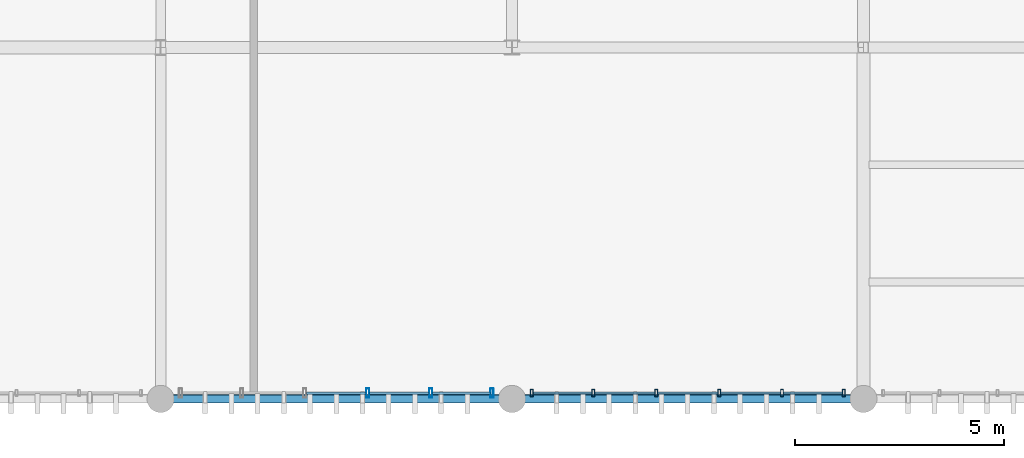
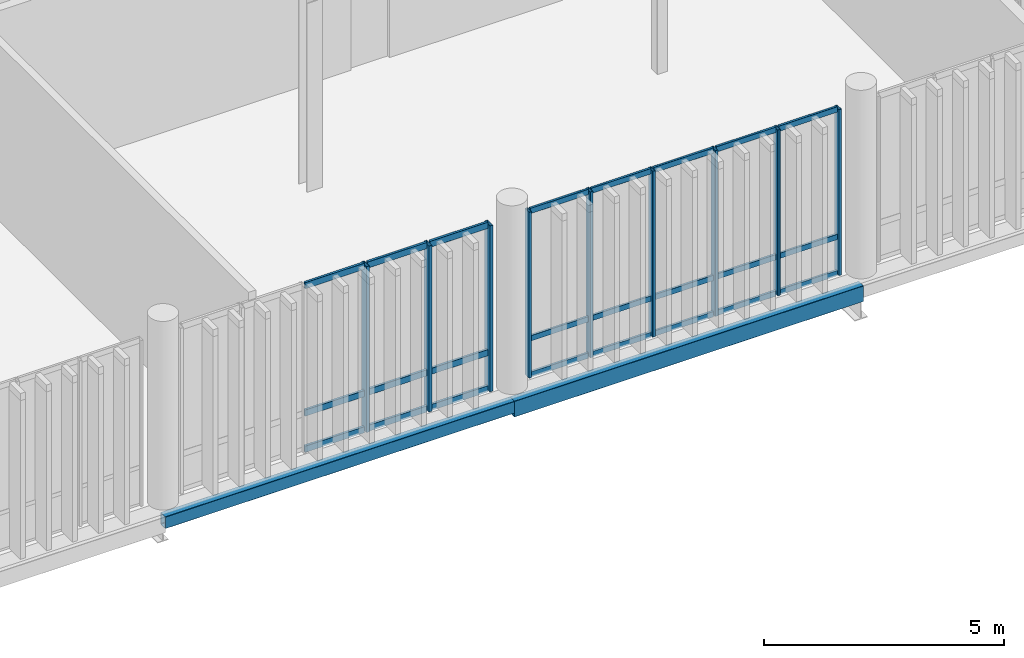
# One storey, part 11 of 86: 33 members, 2 beams, 2 elements without a shape of their own.
"""IFC4 building model written with IfcOpenShell, lengths in metres."""

from ifc_helpers import new_model, si_unit, direction, frame, origin_with_axes, origin_2d_with_axis, place, context, subcontext, project, spatial, hollow_rectangle, extrude, material, material_profile, profile_set, type_object, element, aggregate, save


model = new_model("IFC4")

# Units and contexts
model_context = context("Model", 3, precision=1e-05, world=origin_with_axes(), true_north=direction((0.0, 1.0)))
body_context = subcontext(model_context, "Body", "Model", "MODEL_VIEW")
ifc_project = project(units=[si_unit("LENGTHUNIT", "METRE"), si_unit("AREAUNIT", "SQUARE_METRE"), si_unit("VOLUMEUNIT", "CUBIC_METRE"), si_unit("PLANEANGLEUNIT", "RADIAN"), si_unit("MASSUNIT", "GRAM", prefix="KILO"), si_unit("THERMODYNAMICTEMPERATUREUNIT", "KELVIN")], contexts=[model_context])

# Site, building, storey
site_placement = place(None, origin_with_axes())
site = spatial("IfcSite", under=ifc_project, at=site_placement, CompositionType="ELEMENT")
building_placement = place(site_placement, origin_with_axes())
building = spatial("IfcBuilding", under=site, at=building_placement, Name="Montbau Bow Law Courts", CompositionType="ELEMENT")
storey_placement = place(building_placement, frame((0.0, 0.0, 29.7), z_axis=(0.0, 0.0, 1.0), x_axis=(1.0, 0.0, 0.0)))
storey = spatial("IfcBuildingStorey", under=building, at=storey_placement, Name="L06", CompositionType="ELEMENT", Elevation=29.7)

# Beams
ifc_material_1 = material(Name="Steel CSA G40.21 Grade 350WT (350 MPa)", Category="steel")
ifc_material_profile_1 = material_profile(ifc_material_1, hollow_rectangle(XDim=0.203, YDim=0.406, WallThickness=0.0127, InnerFilletRadius=0.0254, OuterFilletRadius=0.0127, at=origin_2d_with_axis()), Name="HSS406X203X13", Category="Main", Priority=0)
ifc_profile_set_1 = profile_set([ifc_material_profile_1], Name="Steel CSA G40.21 Grade 350WT (350 MPa)")
beam_type_1 = type_object("IfcBeamType", Name="B-SPN-01", PredefinedType="SPANDREL", material=ifc_profile_set_1)
beam_1_placement = place(None, frame((30.6, 30.6, 29.157), z_axis=(1.0, 0.0, 0.0), x_axis=(0.0, 1.0, 0.0)))
element("IfcBeam", 1, at=beam_1_placement, inside=storey, type_object=beam_type_1, Name="SPN-L06-S0669:bm2_0672", PredefinedType="SPANDREL", context=body_context, shape_type="SweptSolid", body=[
    extrude(hollow_rectangle(XDim=0.203, YDim=0.406, WallThickness=0.0127, InnerFilletRadius=0.0254, OuterFilletRadius=0.0127, at=origin_2d_with_axis()), origin_with_axes(), (0.0, 0.0, 1.0), 8.4),
])
ifc_material_profile_2 = material_profile(ifc_material_1, hollow_rectangle(XDim=0.203, YDim=0.305, WallThickness=0.0127, InnerFilletRadius=0.0254, OuterFilletRadius=0.0127, at=origin_2d_with_axis()), Name="HSS305X203X13", Category="Main", Priority=0)
ifc_profile_set_2 = profile_set([ifc_material_profile_2], Name="Steel CSA G40.21 Grade 350WT (350 MPa)")
beam_type_2 = type_object("IfcBeamType", Name="B-SPN-02", PredefinedType="SPANDREL", material=ifc_profile_set_2)
beam_2_placement = place(None, frame((22.2, 30.6, 29.207), z_axis=(1.0, 0.0, 0.0), x_axis=(0.0, 1.0, 0.0)))
element("IfcBeam", 2, at=beam_2_placement, inside=storey, type_object=beam_type_2, Name="SPN-L06-S0668:bm2_0671", PredefinedType="SPANDREL", context=body_context, shape_type="SweptSolid", body=[
    extrude(hollow_rectangle(XDim=0.203, YDim=0.305, WallThickness=0.0127, InnerFilletRadius=0.0254, OuterFilletRadius=0.0127, at=origin_2d_with_axis()), origin_with_axes(), (0.0, 0.0, 1.0), 8.4),
])

# Curtain wall, members
ifc_material_2 = material(Name="Thermally Broken Extruded Aluminium AA 6063-T6", Category="aluminium")
curtain_wall_type = type_object("IfcCurtainWallType", Name="CW-TRC-02", PredefinedType="NOTDEFINED", material=ifc_material_2)
curtain_wall_1_placement = place(None, frame((22.64, 30.74, 29.7), z_axis=(0.0, 0.0, 1.0), x_axis=(1.0, 0.0, 0.0)))
curtain_wall_1 = element("IfcCurtainWall", 3, at=curtain_wall_1_placement, inside=storey, type_object=curtain_wall_type, Name="CW-L06-096:cw_0096", PredefinedType="NOTDEFINED")
ifc_material_profile_3 = material_profile(ifc_material_2, hollow_rectangle(XDim=0.075, YDim=0.22, WallThickness=0.005, InnerFilletRadius=0.01, OuterFilletRadius=0.005, at=origin_2d_with_axis()), Name="CWM-220X75", Category="Main", Priority=0)
ifc_profile_set_3 = profile_set([ifc_material_profile_3], Name="Thermally Broken Extruded Aluminium AA 6063-T6")
member_type_1 = type_object("IfcMemberType", Name="M-MUL-01", PredefinedType="MULLION", material=ifc_profile_set_3)
member_1_placement = place(None, frame((27.152, 30.74, 29.7), z_axis=(0.0, 0.0, 1.0), x_axis=(1.0, 0.0, 0.0)))
member_1 = element("IfcMember", 4, at=member_1_placement, type_object=member_type_1, Name="CW-L06-096-M04:cw_0096_M04", PredefinedType="MULLION", context=body_context, shape_type="SweptSolid", body=[
    extrude(hollow_rectangle(XDim=0.075, YDim=0.22, WallThickness=0.005, InnerFilletRadius=0.01, OuterFilletRadius=0.005, at=origin_2d_with_axis()), origin_with_axes(), (0.0, 0.0, 1.0), 4.22),
])
member_2_placement = place(None, frame((28.656, 30.74, 29.7), z_axis=(0.0, 0.0, 1.0), x_axis=(1.0, 0.0, 0.0)))
member_2 = element("IfcMember", 5, at=member_2_placement, type_object=member_type_1, Name="CW-L06-096-M05:cw_0096_M05", PredefinedType="MULLION", context=body_context, shape_type="SweptSolid", body=[
    extrude(hollow_rectangle(XDim=0.075, YDim=0.22, WallThickness=0.005, InnerFilletRadius=0.01, OuterFilletRadius=0.005, at=origin_2d_with_axis()), origin_with_axes(), (0.0, 0.0, 1.0), 4.22),
])
member_3_placement = place(None, frame((30.122, 30.74, 29.7), z_axis=(0.0, 0.0, 1.0), x_axis=(1.0, 0.0, 0.0)))
member_3 = element("IfcMember", 6, at=member_3_placement, type_object=member_type_1, Name="CW-L06-096-M06:cw_0096_M06", PredefinedType="MULLION", context=body_context, shape_type="SweptSolid", body=[
    extrude(hollow_rectangle(XDim=0.075, YDim=0.22, WallThickness=0.005, InnerFilletRadius=0.01, OuterFilletRadius=0.005, at=origin_2d_with_axis()), origin_with_axes(), (0.0, 0.0, 1.0), 4.22),
])

curtain_wall_2_placement = place(None, frame((31.04, 30.74, 29.7), z_axis=(0.0, 0.0, 1.0), x_axis=(1.0, 0.0, 0.0)))
curtain_wall_2 = element("IfcCurtainWall", 7, at=curtain_wall_2_placement, inside=storey, type_object=curtain_wall_type, Name="CW-L06-097:cw_0097", PredefinedType="NOTDEFINED")
ifc_material_profile_4 = material_profile(ifc_material_2, hollow_rectangle(XDim=0.065, YDim=0.18, WallThickness=0.005, InnerFilletRadius=0.01, OuterFilletRadius=0.005, at=origin_2d_with_axis()), Name="CWM-180X65", Category="Main", Priority=0)
ifc_profile_set_4 = profile_set([ifc_material_profile_4], Name="Thermally Broken Extruded Aluminium AA 6063-T6")
member_type_2 = type_object("IfcMemberType", Name="M-MUL-02", PredefinedType="MULLION", material=ifc_profile_set_4)
member_4_placement = place(None, frame((31.073, 30.74, 29.7), z_axis=(0.0, 0.0, 1.0), x_axis=(1.0, 0.0, 0.0)))
member_4 = element("IfcMember", 8, at=member_4_placement, type_object=member_type_2, Name="CW-L06-097-M01:cw_0097_M01", PredefinedType="MULLION", context=body_context, shape_type="SweptSolid", body=[
    extrude(hollow_rectangle(XDim=0.065, YDim=0.18, WallThickness=0.005, InnerFilletRadius=0.01, OuterFilletRadius=0.005, at=origin_2d_with_axis()), origin_with_axes(), (0.0, 0.0, 1.0), 4.22),
])
member_5_placement = place(None, frame((32.544, 30.74, 29.7), z_axis=(0.0, 0.0, 1.0), x_axis=(1.0, 0.0, 0.0)))
member_5 = element("IfcMember", 9, at=member_5_placement, type_object=member_type_2, Name="CW-L06-097-M02:cw_0097_M02", PredefinedType="MULLION", context=body_context, shape_type="SweptSolid", body=[
    extrude(hollow_rectangle(XDim=0.065, YDim=0.18, WallThickness=0.005, InnerFilletRadius=0.01, OuterFilletRadius=0.005, at=origin_2d_with_axis()), origin_with_axes(), (0.0, 0.0, 1.0), 4.22),
])
member_6_placement = place(None, frame((34.048, 30.74, 29.7), z_axis=(0.0, 0.0, 1.0), x_axis=(1.0, 0.0, 0.0)))
member_6 = element("IfcMember", 10, at=member_6_placement, type_object=member_type_2, Name="CW-L06-097-M03:cw_0097_M03", PredefinedType="MULLION", context=body_context, shape_type="SweptSolid", body=[
    extrude(hollow_rectangle(XDim=0.065, YDim=0.18, WallThickness=0.005, InnerFilletRadius=0.01, OuterFilletRadius=0.005, at=origin_2d_with_axis()), origin_with_axes(), (0.0, 0.0, 1.0), 4.22),
])
member_7_placement = place(None, frame((35.552, 30.74, 29.7), z_axis=(0.0, 0.0, 1.0), x_axis=(1.0, 0.0, 0.0)))
member_7 = element("IfcMember", 11, at=member_7_placement, type_object=member_type_2, Name="CW-L06-097-M04:cw_0097_M04", PredefinedType="MULLION", context=body_context, shape_type="SweptSolid", body=[
    extrude(hollow_rectangle(XDim=0.065, YDim=0.18, WallThickness=0.005, InnerFilletRadius=0.01, OuterFilletRadius=0.005, at=origin_2d_with_axis()), origin_with_axes(), (0.0, 0.0, 1.0), 4.22),
])
member_8_placement = place(None, frame((37.056, 30.74, 29.7), z_axis=(0.0, 0.0, 1.0), x_axis=(1.0, 0.0, 0.0)))
member_8 = element("IfcMember", 12, at=member_8_placement, type_object=member_type_2, Name="CW-L06-097-M05:cw_0097_M05", PredefinedType="MULLION", context=body_context, shape_type="SweptSolid", body=[
    extrude(hollow_rectangle(XDim=0.065, YDim=0.18, WallThickness=0.005, InnerFilletRadius=0.01, OuterFilletRadius=0.005, at=origin_2d_with_axis()), origin_with_axes(), (0.0, 0.0, 1.0), 4.22),
])
member_9_placement = place(None, frame((38.528, 30.74, 29.7), z_axis=(0.0, 0.0, 1.0), x_axis=(1.0, 0.0, 0.0)))
member_9 = element("IfcMember", 13, at=member_9_placement, type_object=member_type_2, Name="CW-L06-097-M06:cw_0097_M06", PredefinedType="MULLION", context=body_context, shape_type="SweptSolid", body=[
    extrude(hollow_rectangle(XDim=0.065, YDim=0.18, WallThickness=0.005, InnerFilletRadius=0.01, OuterFilletRadius=0.005, at=origin_2d_with_axis()), origin_with_axes(), (0.0, 0.0, 1.0), 4.22),
])

# Member
ifc_material_profile_5 = material_profile(ifc_material_2, hollow_rectangle(XDim=0.06, YDim=0.16, WallThickness=0.004, InnerFilletRadius=0.008, OuterFilletRadius=0.004, at=origin_2d_with_axis()), Name="CWT-160X60", Category="Main", Priority=0)
ifc_profile_set_5 = profile_set([ifc_material_profile_5], Name="Thermally Broken Extruded Aluminium AA 6063-T6")
member_type_3 = type_object("IfcMemberType", Name="M-TRN-01", PredefinedType="USERDEFINED", material=ifc_profile_set_5)
member_10_placement = place(None, frame((25.687, 30.74, 29.73), z_axis=(1.0, 0.0, 0.0), x_axis=(0.0, 1.0, 0.0)))
member_10 = element("IfcMember", 14, at=member_10_placement, type_object=member_type_3, Name="CW-L06-096-T03-1:cw_0096_T03_1", ObjectType="TRANSOM", PredefinedType="USERDEFINED", context=body_context, shape_type="SweptSolid", body=[
    extrude(hollow_rectangle(XDim=0.06, YDim=0.16, WallThickness=0.004, InnerFilletRadius=0.008, OuterFilletRadius=0.004, at=origin_2d_with_axis()), origin_with_axes(), (0.0, 0.0, 1.0), 1.426),
])

member_11_placement = place(None, frame((25.687, 30.74, 30.65), z_axis=(1.0, 0.0, 0.0), x_axis=(0.0, 1.0, 0.0)))
member_11 = element("IfcMember", 15, at=member_11_placement, type_object=member_type_3, Name="CW-L06-096-T03-2:cw_0096_T03_2", ObjectType="TRANSOM", PredefinedType="USERDEFINED", context=body_context, shape_type="SweptSolid", body=[
    extrude(hollow_rectangle(XDim=0.06, YDim=0.16, WallThickness=0.004, InnerFilletRadius=0.008, OuterFilletRadius=0.004, at=origin_2d_with_axis()), origin_with_axes(), (0.0, 0.0, 1.0), 1.426),
])

member_12_placement = place(None, frame((25.687, 30.74, 33.89), z_axis=(1.0, 0.0, 0.0), x_axis=(0.0, 1.0, 0.0)))
member_12 = element("IfcMember", 16, at=member_12_placement, type_object=member_type_3, Name="CW-L06-096-T03-3:cw_0096_T03_3", ObjectType="TRANSOM", PredefinedType="USERDEFINED", context=body_context, shape_type="SweptSolid", body=[
    extrude(hollow_rectangle(XDim=0.06, YDim=0.16, WallThickness=0.004, InnerFilletRadius=0.008, OuterFilletRadius=0.004, at=origin_2d_with_axis()), origin_with_axes(), (0.0, 0.0, 1.0), 1.426),
])

member_13_placement = place(None, frame((27.191, 30.74, 29.73), z_axis=(1.0, 0.0, 0.0), x_axis=(0.0, 1.0, 0.0)))
member_13 = element("IfcMember", 17, at=member_13_placement, type_object=member_type_3, Name="CW-L06-096-T04-1:cw_0096_T04_1", ObjectType="TRANSOM", PredefinedType="USERDEFINED", context=body_context, shape_type="SweptSolid", body=[
    extrude(hollow_rectangle(XDim=0.06, YDim=0.16, WallThickness=0.004, InnerFilletRadius=0.008, OuterFilletRadius=0.004, at=origin_2d_with_axis()), origin_with_axes(), (0.0, 0.0, 1.0), 1.426),
])

member_14_placement = place(None, frame((27.191, 30.74, 30.65), z_axis=(1.0, 0.0, 0.0), x_axis=(0.0, 1.0, 0.0)))
member_14 = element("IfcMember", 18, at=member_14_placement, type_object=member_type_3, Name="CW-L06-096-T04-2:cw_0096_T04_2", ObjectType="TRANSOM", PredefinedType="USERDEFINED", context=body_context, shape_type="SweptSolid", body=[
    extrude(hollow_rectangle(XDim=0.06, YDim=0.16, WallThickness=0.004, InnerFilletRadius=0.008, OuterFilletRadius=0.004, at=origin_2d_with_axis()), origin_with_axes(), (0.0, 0.0, 1.0), 1.426),
])

member_15_placement = place(None, frame((27.191, 30.74, 33.89), z_axis=(1.0, 0.0, 0.0), x_axis=(0.0, 1.0, 0.0)))
member_15 = element("IfcMember", 19, at=member_15_placement, type_object=member_type_3, Name="CW-L06-096-T04-3:cw_0096_T04_3", ObjectType="TRANSOM", PredefinedType="USERDEFINED", context=body_context, shape_type="SweptSolid", body=[
    extrude(hollow_rectangle(XDim=0.06, YDim=0.16, WallThickness=0.004, InnerFilletRadius=0.008, OuterFilletRadius=0.004, at=origin_2d_with_axis()), origin_with_axes(), (0.0, 0.0, 1.0), 1.426),
])

member_16_placement = place(None, frame((28.695, 30.74, 29.73), z_axis=(1.0, 0.0, 0.0), x_axis=(0.0, 1.0, 0.0)))
member_16 = element("IfcMember", 20, at=member_16_placement, type_object=member_type_3, Name="CW-L06-096-T05-1:cw_0096_T05_1", ObjectType="TRANSOM", PredefinedType="USERDEFINED", context=body_context, shape_type="SweptSolid", body=[
    extrude(hollow_rectangle(XDim=0.06, YDim=0.16, WallThickness=0.004, InnerFilletRadius=0.008, OuterFilletRadius=0.004, at=origin_2d_with_axis()), origin_with_axes(), (0.0, 0.0, 1.0), 1.388),
])

member_17_placement = place(None, frame((28.695, 30.74, 30.65), z_axis=(1.0, 0.0, 0.0), x_axis=(0.0, 1.0, 0.0)))
member_17 = element("IfcMember", 21, at=member_17_placement, type_object=member_type_3, Name="CW-L06-096-T05-2:cw_0096_T05_2", ObjectType="TRANSOM", PredefinedType="USERDEFINED", context=body_context, shape_type="SweptSolid", body=[
    extrude(hollow_rectangle(XDim=0.06, YDim=0.16, WallThickness=0.004, InnerFilletRadius=0.008, OuterFilletRadius=0.004, at=origin_2d_with_axis()), origin_with_axes(), (0.0, 0.0, 1.0), 1.388),
])

member_18_placement = place(None, frame((28.695, 30.74, 33.89), z_axis=(1.0, 0.0, 0.0), x_axis=(0.0, 1.0, 0.0)))
member_18 = element("IfcMember", 22, at=member_18_placement, type_object=member_type_3, Name="CW-L06-096-T05-3:cw_0096_T05_3", ObjectType="TRANSOM", PredefinedType="USERDEFINED", context=body_context, shape_type="SweptSolid", body=[
    extrude(hollow_rectangle(XDim=0.06, YDim=0.16, WallThickness=0.004, InnerFilletRadius=0.008, OuterFilletRadius=0.004, at=origin_2d_with_axis()), origin_with_axes(), (0.0, 0.0, 1.0), 1.388),
])

aggregate(curtain_wall_1, [member_1, member_2, member_3, member_10, member_11, member_12, member_13, member_14, member_15, member_16, member_17, member_18])

ifc_material_profile_6 = material_profile(ifc_material_2, hollow_rectangle(XDim=0.055, YDim=0.14, WallThickness=0.004, InnerFilletRadius=0.008, OuterFilletRadius=0.004, at=origin_2d_with_axis()), Name="CWT-140X55", Category="Main", Priority=0)
ifc_profile_set_6 = profile_set([ifc_material_profile_6], Name="Thermally Broken Extruded Aluminium AA 6063-T6")
member_type_4 = type_object("IfcMemberType", Name="M-TRN-02", PredefinedType="USERDEFINED", material=ifc_profile_set_6)
member_19_placement = place(None, frame((31.108, 30.74, 29.727), z_axis=(1.0, 0.0, 0.0), x_axis=(0.0, 1.0, 0.0)))
member_19 = element("IfcMember", 23, at=member_19_placement, type_object=member_type_4, Name="CW-L06-097-T01-1:cw_0097_T01_1", ObjectType="TRANSOM", PredefinedType="USERDEFINED", context=body_context, shape_type="SweptSolid", body=[
    extrude(hollow_rectangle(XDim=0.055, YDim=0.14, WallThickness=0.004, InnerFilletRadius=0.008, OuterFilletRadius=0.004, at=origin_2d_with_axis()), origin_with_axes(), (0.0, 0.0, 1.0), 1.402),
])

member_20_placement = place(None, frame((31.108, 30.74, 30.65), z_axis=(1.0, 0.0, 0.0), x_axis=(0.0, 1.0, 0.0)))
member_20 = element("IfcMember", 24, at=member_20_placement, type_object=member_type_4, Name="CW-L06-097-T01-2:cw_0097_T01_2", ObjectType="TRANSOM", PredefinedType="USERDEFINED", context=body_context, shape_type="SweptSolid", body=[
    extrude(hollow_rectangle(XDim=0.055, YDim=0.14, WallThickness=0.004, InnerFilletRadius=0.008, OuterFilletRadius=0.004, at=origin_2d_with_axis()), origin_with_axes(), (0.0, 0.0, 1.0), 1.402),
])

member_21_placement = place(None, frame((31.108, 30.74, 33.892), z_axis=(1.0, 0.0, 0.0), x_axis=(0.0, 1.0, 0.0)))
member_21 = element("IfcMember", 25, at=member_21_placement, type_object=member_type_4, Name="CW-L06-097-T01-3:cw_0097_T01_3", ObjectType="TRANSOM", PredefinedType="USERDEFINED", context=body_context, shape_type="SweptSolid", body=[
    extrude(hollow_rectangle(XDim=0.055, YDim=0.14, WallThickness=0.004, InnerFilletRadius=0.008, OuterFilletRadius=0.004, at=origin_2d_with_axis()), origin_with_axes(), (0.0, 0.0, 1.0), 1.402),
])

member_22_placement = place(None, frame((32.578, 30.74, 29.727), z_axis=(1.0, 0.0, 0.0), x_axis=(0.0, 1.0, 0.0)))
member_22 = element("IfcMember", 26, at=member_22_placement, type_object=member_type_4, Name="CW-L06-097-T02-1:cw_0097_T02_1", ObjectType="TRANSOM", PredefinedType="USERDEFINED", context=body_context, shape_type="SweptSolid", body=[
    extrude(hollow_rectangle(XDim=0.055, YDim=0.14, WallThickness=0.004, InnerFilletRadius=0.008, OuterFilletRadius=0.004, at=origin_2d_with_axis()), origin_with_axes(), (0.0, 0.0, 1.0), 1.436),
])

member_23_placement = place(None, frame((32.578, 30.74, 30.65), z_axis=(1.0, 0.0, 0.0), x_axis=(0.0, 1.0, 0.0)))
member_23 = element("IfcMember", 27, at=member_23_placement, type_object=member_type_4, Name="CW-L06-097-T02-2:cw_0097_T02_2", ObjectType="TRANSOM", PredefinedType="USERDEFINED", context=body_context, shape_type="SweptSolid", body=[
    extrude(hollow_rectangle(XDim=0.055, YDim=0.14, WallThickness=0.004, InnerFilletRadius=0.008, OuterFilletRadius=0.004, at=origin_2d_with_axis()), origin_with_axes(), (0.0, 0.0, 1.0), 1.436),
])

member_24_placement = place(None, frame((32.578, 30.74, 33.892), z_axis=(1.0, 0.0, 0.0), x_axis=(0.0, 1.0, 0.0)))
member_24 = element("IfcMember", 28, at=member_24_placement, type_object=member_type_4, Name="CW-L06-097-T02-3:cw_0097_T02_3", ObjectType="TRANSOM", PredefinedType="USERDEFINED", context=body_context, shape_type="SweptSolid", body=[
    extrude(hollow_rectangle(XDim=0.055, YDim=0.14, WallThickness=0.004, InnerFilletRadius=0.008, OuterFilletRadius=0.004, at=origin_2d_with_axis()), origin_with_axes(), (0.0, 0.0, 1.0), 1.436),
])

member_25_placement = place(None, frame((34.082, 30.74, 29.727), z_axis=(1.0, 0.0, 0.0), x_axis=(0.0, 1.0, 0.0)))
member_25 = element("IfcMember", 29, at=member_25_placement, type_object=member_type_4, Name="CW-L06-097-T03-1:cw_0097_T03_1", ObjectType="TRANSOM", PredefinedType="USERDEFINED", context=body_context, shape_type="SweptSolid", body=[
    extrude(hollow_rectangle(XDim=0.055, YDim=0.14, WallThickness=0.004, InnerFilletRadius=0.008, OuterFilletRadius=0.004, at=origin_2d_with_axis()), origin_with_axes(), (0.0, 0.0, 1.0), 1.436),
])

member_26_placement = place(None, frame((34.082, 30.74, 30.65), z_axis=(1.0, 0.0, 0.0), x_axis=(0.0, 1.0, 0.0)))
member_26 = element("IfcMember", 30, at=member_26_placement, type_object=member_type_4, Name="CW-L06-097-T03-2:cw_0097_T03_2", ObjectType="TRANSOM", PredefinedType="USERDEFINED", context=body_context, shape_type="SweptSolid", body=[
    extrude(hollow_rectangle(XDim=0.055, YDim=0.14, WallThickness=0.004, InnerFilletRadius=0.008, OuterFilletRadius=0.004, at=origin_2d_with_axis()), origin_with_axes(), (0.0, 0.0, 1.0), 1.436),
])

member_27_placement = place(None, frame((34.082, 30.74, 33.892), z_axis=(1.0, 0.0, 0.0), x_axis=(0.0, 1.0, 0.0)))
member_27 = element("IfcMember", 31, at=member_27_placement, type_object=member_type_4, Name="CW-L06-097-T03-3:cw_0097_T03_3", ObjectType="TRANSOM", PredefinedType="USERDEFINED", context=body_context, shape_type="SweptSolid", body=[
    extrude(hollow_rectangle(XDim=0.055, YDim=0.14, WallThickness=0.004, InnerFilletRadius=0.008, OuterFilletRadius=0.004, at=origin_2d_with_axis()), origin_with_axes(), (0.0, 0.0, 1.0), 1.436),
])

member_28_placement = place(None, frame((35.586, 30.74, 29.727), z_axis=(1.0, 0.0, 0.0), x_axis=(0.0, 1.0, 0.0)))
member_28 = element("IfcMember", 32, at=member_28_placement, type_object=member_type_4, Name="CW-L06-097-T04-1:cw_0097_T04_1", ObjectType="TRANSOM", PredefinedType="USERDEFINED", context=body_context, shape_type="SweptSolid", body=[
    extrude(hollow_rectangle(XDim=0.055, YDim=0.14, WallThickness=0.004, InnerFilletRadius=0.008, OuterFilletRadius=0.004, at=origin_2d_with_axis()), origin_with_axes(), (0.0, 0.0, 1.0), 1.436),
])

member_29_placement = place(None, frame((35.586, 30.74, 30.65), z_axis=(1.0, 0.0, 0.0), x_axis=(0.0, 1.0, 0.0)))
member_29 = element("IfcMember", 33, at=member_29_placement, type_object=member_type_4, Name="CW-L06-097-T04-2:cw_0097_T04_2", ObjectType="TRANSOM", PredefinedType="USERDEFINED", context=body_context, shape_type="SweptSolid", body=[
    extrude(hollow_rectangle(XDim=0.055, YDim=0.14, WallThickness=0.004, InnerFilletRadius=0.008, OuterFilletRadius=0.004, at=origin_2d_with_axis()), origin_with_axes(), (0.0, 0.0, 1.0), 1.436),
])

member_30_placement = place(None, frame((35.586, 30.74, 33.892), z_axis=(1.0, 0.0, 0.0), x_axis=(0.0, 1.0, 0.0)))
member_30 = element("IfcMember", 34, at=member_30_placement, type_object=member_type_4, Name="CW-L06-097-T04-3:cw_0097_T04_3", ObjectType="TRANSOM", PredefinedType="USERDEFINED", context=body_context, shape_type="SweptSolid", body=[
    extrude(hollow_rectangle(XDim=0.055, YDim=0.14, WallThickness=0.004, InnerFilletRadius=0.008, OuterFilletRadius=0.004, at=origin_2d_with_axis()), origin_with_axes(), (0.0, 0.0, 1.0), 1.436),
])

member_31_placement = place(None, frame((37.09, 30.74, 29.727), z_axis=(1.0, 0.0, 0.0), x_axis=(0.0, 1.0, 0.0)))
member_31 = element("IfcMember", 35, at=member_31_placement, type_object=member_type_4, Name="CW-L06-097-T05-1:cw_0097_T05_1", ObjectType="TRANSOM", PredefinedType="USERDEFINED", context=body_context, shape_type="SweptSolid", body=[
    extrude(hollow_rectangle(XDim=0.055, YDim=0.14, WallThickness=0.004, InnerFilletRadius=0.008, OuterFilletRadius=0.004, at=origin_2d_with_axis()), origin_with_axes(), (0.0, 0.0, 1.0), 1.404),
])

member_32_placement = place(None, frame((37.09, 30.74, 30.65), z_axis=(1.0, 0.0, 0.0), x_axis=(0.0, 1.0, 0.0)))
member_32 = element("IfcMember", 36, at=member_32_placement, type_object=member_type_4, Name="CW-L06-097-T05-2:cw_0097_T05_2", ObjectType="TRANSOM", PredefinedType="USERDEFINED", context=body_context, shape_type="SweptSolid", body=[
    extrude(hollow_rectangle(XDim=0.055, YDim=0.14, WallThickness=0.004, InnerFilletRadius=0.008, OuterFilletRadius=0.004, at=origin_2d_with_axis()), origin_with_axes(), (0.0, 0.0, 1.0), 1.404),
])

member_33_placement = place(None, frame((37.09, 30.74, 33.892), z_axis=(1.0, 0.0, 0.0), x_axis=(0.0, 1.0, 0.0)))
member_33 = element("IfcMember", 37, at=member_33_placement, type_object=member_type_4, Name="CW-L06-097-T05-3:cw_0097_T05_3", ObjectType="TRANSOM", PredefinedType="USERDEFINED", context=body_context, shape_type="SweptSolid", body=[
    extrude(hollow_rectangle(XDim=0.055, YDim=0.14, WallThickness=0.004, InnerFilletRadius=0.008, OuterFilletRadius=0.004, at=origin_2d_with_axis()), origin_with_axes(), (0.0, 0.0, 1.0), 1.404),
])

aggregate(curtain_wall_2, [member_4, member_5, member_6, member_7, member_8, member_9, member_19, member_20, member_21, member_22, member_23, member_24, member_25, member_26, member_27, member_28, member_29, member_30, member_31, member_32, member_33])

save(model, "model.ifc")
